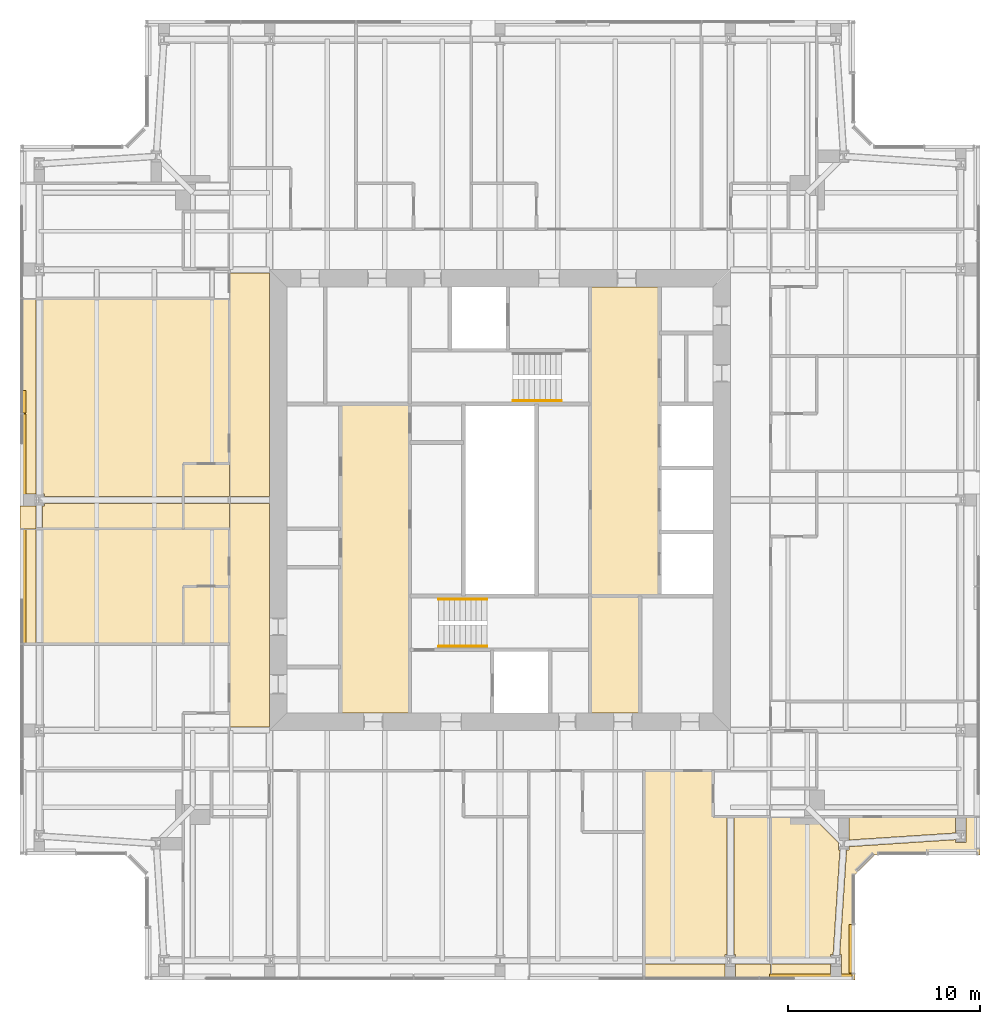
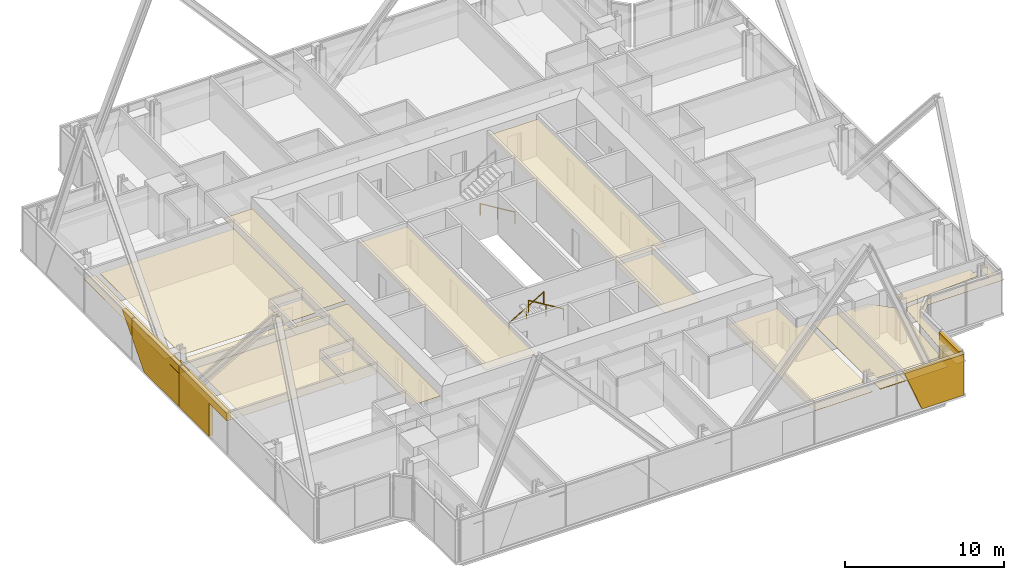
# One storey, part 17 of 20: 27 coverings, 3 railings.
"""IFC4 building model written with IfcOpenShell, lengths in metres."""

from ifc_helpers import new_model, si_unit, direction, frame, origin, origin_2d, place, context, subcontext, project, spatial, polyline, circle, outline, extrude, material, layer, layer_set, type_object, element, save


model = new_model("IFC4")

# Units and contexts
model_context = context("Model", 3, precision=1e-05, world=origin(), true_north=direction((0.0, 1.0)))
body_context = subcontext(model_context, "Body", "Model", "MODEL_VIEW")
ifc_project = project(units=[si_unit("LENGTHUNIT", "METRE"), si_unit("AREAUNIT", "SQUARE_METRE"), si_unit("VOLUMEUNIT", "CUBIC_METRE"), si_unit("PLANEANGLEUNIT", "RADIAN"), si_unit("MASSUNIT", "GRAM", prefix="KILO")], contexts=[model_context])

# Site, building, storey
site_placement = place(None, origin())
site = spatial("IfcSite", under=ifc_project, at=site_placement, CompositionType="ELEMENT")
building_placement = place(site_placement, origin())
building = spatial("IfcBuilding", under=site, at=building_placement, Name="Fenwick Lantern Interchange", CompositionType="ELEMENT")
storey_placement = place(building_placement, frame((0.0, 0.0, 256.0)))
storey = spatial("IfcBuildingStorey", under=building, at=storey_placement, Name="L60", CompositionType="ELEMENT", Elevation=256.0)

# Coverings
ifc_material_1 = material(Name="Granite cladding, warm grey flamed finish, on aluminium carrier frame", Category="masonry")
ifc_layer_1 = layer(ifc_material_1, 0.300048828125)
ifc_layer_set_1 = layer_set([ifc_layer_1], Name="BRACE CASING PANEL 300")
covering_type_1 = type_object("IfcCoveringType", Name="BRACE CASING PANEL 300", PredefinedType="CLADDING", material=ifc_layer_set_1)
covering_1_placement = place(storey_placement, frame((6.60009765625, 0.10009765625, 0.0), z_axis=(0.0, 0.0, 1.0), x_axis=(1.0, 0.0, 0.0)))
element("IfcCovering", 1, at=covering_1_placement, inside=storey, type_object=covering_type_1, Name="Brace casing 01 bay 06a", PredefinedType="CLADDING", context=body_context, shape_type="SweptSolid", body=[
    extrude(outline(polyline([(33.71337890625, 0.0), (36.739990234375, 0.0), (36.739990234375, 3.14990234375), (32.439453125, 3.14990234375), (33.71337890625, 0.0)])), frame((0.0, 0.2099609375, 0.0), z_axis=(0.0, -1.0, 0.0), x_axis=(1.0, 0.0, 0.0)), (0.0, 0.0, 1.0), 0.300048828125),
])
covering_2_placement = place(storey_placement, frame((43.39990234375, 0.10009765625, 0.0), z_axis=(0.0, 0.0, 1.0), x_axis=(0.0, 1.0, 0.0)))
element("IfcCovering", 2, at=covering_2_placement, inside=storey, type_object=covering_type_1, Name="Brace casing 02 bay 00a", PredefinedType="CLADDING", context=body_context, shape_type="SweptSolid", body=[
    extrude(outline(polyline([(0.260009765625, 0.0), (2.790771484375, 0.0), (2.790771484375, 3.14990234375), (0.260009765625, 3.14990234375), (0.260009765625, 0.0)])), frame((0.0, 0.2099609375, 0.0), z_axis=(0.0, -1.0, 0.0), x_axis=(1.0, 0.0, 0.0)), (0.0, 0.0, 1.0), 0.300048828125),
])
covering_3_placement = place(storey_placement, frame((0.10009765625, 43.39990234375, 1.807373046875), z_axis=(0.0, 0.0, 1.0), x_axis=(0.0, -1.0, 0.0)))
element("IfcCovering", 3, at=covering_3_placement, inside=storey, type_object=covering_type_1, Name="Brace casing 13 bay 02a", PredefinedType="CLADDING", context=body_context, shape_type="SweptSolid", body=[
    extrude(outline(polyline([(13.8701171875, 0.0), (13.8701171875, 1.342529296875), (12.685302734375, 1.342529296875), (13.8701171875, 0.0)])), frame((0.0, 0.2099609375, 0.0), z_axis=(0.0, -1.0, 0.0), x_axis=(1.0, 0.0, 0.0)), (0.0, 0.0, 1.0), 0.300048828125),
])
covering_4_placement = place(storey_placement, frame((0.10009765625, 43.39990234375, 0.0), z_axis=(0.0, 0.0, 1.0), x_axis=(0.0, -1.0, 0.0)))
element("IfcCovering", 4, at=covering_4_placement, inside=storey, type_object=covering_type_1, Name="Brace casing 13 bay 03a", PredefinedType="CLADDING", context=body_context, shape_type="SweptSolid", body=[
    extrude(outline(polyline([(15.46484375, 0.0), (19.8701171875, 0.0), (19.8701171875, 3.14990234375), (13.929931640625, 3.14990234375), (13.929931640625, 1.739501953125), (15.46484375, 0.0)])), frame((0.0, 0.2099609375, 0.0), z_axis=(0.0, -1.0, 0.0), x_axis=(1.0, 0.0, 0.0)), (0.0, 0.0, 1.0), 0.300048828125),
])
covering_5_placement = place(storey_placement, frame((0.10009765625, 43.39990234375, 0.0), z_axis=(0.0, 0.0, 1.0), x_axis=(0.0, -1.0, 0.0)))
element("IfcCovering", 5, at=covering_5_placement, inside=storey, type_object=covering_type_1, Name="Brace casing 13 bay 04a", PredefinedType="CLADDING", context=body_context, shape_type="SweptSolid", body=[
    extrude(outline(polyline([(19.929931640625, 0.0), (23.60009765625, 0.0), (23.60009765625, 2.56689453125), (25.8701171875, 2.56689453125), (25.8701171875, 3.14990234375), (19.929931640625, 3.14990234375), (19.929931640625, 0.0)])), frame((0.0, 0.2099609375, 0.0), z_axis=(0.0, -1.0, 0.0), x_axis=(1.0, 0.0, 0.0)), (0.0, 0.0, 1.0), 0.300048828125),
])

# Railings
ifc_material_2 = material(Name="Stainless steel handrail", Category="steel")
railing_type = type_object("IfcRailingType", Name="HANDRAIL 900", PredefinedType="HANDRAIL", material=ifc_material_2)
railing_1_placement = place(storey_placement, frame((21.800048828125, 19.825927734375, 0.169921875)))
element("IfcRailing", 6, at=railing_1_placement, inside=storey, type_object=railing_type, Name="L60/STAIR/ST1/HR1", PredefinedType="HANDRAIL", context=body_context, shape_type="SweptSolid", body=[
    extrude(circle(Radius=0.02392578125, at=origin_2d()), frame((0.0, 0.0, 0.8759765625), z_axis=(0.85478489116, 0.0, 0.518982456201), x_axis=(0.0, 1.0, 0.0)), (0.0, 0.0, 1.0), 2.9482421875),
    extrude(circle(Radius=0.02099609375, at=origin_2d()), origin(), (0.0, 0.0, 1.0), 0.851806640625),
    extrude(circle(Radius=0.02099609375, at=origin_2d()), frame((1.260009765625, 0.0, 0.76513671875)), (0.0, 0.0, 1.0), 0.851806640625),
    extrude(circle(Radius=0.02099609375, at=origin_2d()), frame((2.52001953125, 0.0, 1.530029296875)), (0.0, 0.0, 1.0), 0.851806640625),
])
railing_2_placement = place(storey_placement, frame((24.320068359375, 17.3740234375, 1.8701171875)))
element("IfcRailing", 7, at=railing_2_placement, inside=storey, type_object=railing_type, Name="L60/STAIR/ST1/HR2", PredefinedType="HANDRAIL", context=body_context, shape_type="SweptSolid", body=[
    extrude(circle(Radius=0.02392578125, at=origin_2d()), frame((0.0, 0.0, 0.8759765625), z_axis=(-0.854821627497, 0.0, 0.518921945155), x_axis=(0.0, -1.0, 0.0)), (0.0, 0.0, 1.0), 2.947998046875),
    extrude(circle(Radius=0.02099609375, at=origin_2d()), origin(), (0.0, 0.0, 1.0), 0.851806640625),
    extrude(circle(Radius=0.02099609375, at=origin_2d()), frame((-1.260009765625, 0.0, 0.764892578125)), (0.0, 0.0, 1.0), 0.851806640625),
    extrude(circle(Radius=0.02099609375, at=origin_2d()), frame((-2.52001953125, 0.0, 1.52978515625)), (0.0, 0.0, 1.0), 0.851806640625),
])
railing_3_placement = place(storey_placement, frame((28.199951171875, 30.174072265625, 0.169921875)))
element("IfcRailing", 8, at=railing_3_placement, inside=storey, type_object=railing_type, Name="L60/STAIR/ST2/HR1", PredefinedType="HANDRAIL", context=body_context, shape_type="SweptSolid", body=[
    extrude(circle(Radius=0.02392578125, at=origin_2d()), frame((0.0, 0.0, 0.8759765625), z_axis=(-0.85478489116, 0.0, 0.518982456201), x_axis=(0.0, -1.0, 0.0)), (0.0, 0.0, 1.0), 2.9482421875),
    extrude(circle(Radius=0.02099609375, at=origin_2d()), origin(), (0.0, 0.0, 1.0), 0.851806640625),
    extrude(circle(Radius=0.02099609375, at=origin_2d()), frame((-1.260009765625, 0.0, 0.76513671875)), (0.0, 0.0, 1.0), 0.851806640625),
    extrude(circle(Radius=0.02099609375, at=origin_2d()), frame((-2.52001953125, 0.0, 1.530029296875)), (0.0, 0.0, 1.0), 0.851806640625),
])

# Coverings
ifc_material_3 = material(Name="Moisture resistant gypsum board on suspended frame, painted")
ifc_layer_2 = layer(ifc_material_3, 0.014892578125)
ifc_layer_set_2 = layer_set([ifc_layer_2], Name="MOISTURE RESISTANT CEILING 15")
covering_type_2 = type_object("IfcCoveringType", Name="MOISTURE RESISTANT CEILING 15", PredefinedType="CEILING", material=ifc_layer_set_2)
covering_6_placement = place(storey_placement, frame((0.0, 0.0, 2.60009765625)))
element("IfcCovering", 9, at=covering_6_placement, inside=storey, type_object=covering_type_2, Name="Men's WC ceiling", PredefinedType="CEILING", context=body_context, shape_type="SweptSolid", body=[
    extrude(outline(polyline([(29.699951171875, 13.89990234375), (32.300048828125, 13.89990234375), (32.300048828125, 20.0), (29.699951171875, 20.0), (29.699951171875, 13.89990234375)])), origin(), (0.0, 0.0, 1.0), 0.014892578125),
])
covering_7_placement = place(storey_placement, frame((0.0, 0.0, 2.39990234375)))
element("IfcCovering", 10, at=covering_7_placement, inside=storey, type_object=covering_type_2, Name="En-suite 6014 ceiling", PredefinedType="CEILING", context=body_context, shape_type="SweptSolid", body=[
    extrude(outline(polyline([(8.5, 26.89990234375), (8.5, 25.175048828125), (10.89990234375, 25.175048828125), (10.89990234375, 26.89990234375), (8.5, 26.89990234375)])), origin(), (0.0, 0.0, 1.0), 0.01513671875),
])
covering_8_placement = place(storey_placement, frame((0.0, 0.0, 2.39990234375)))
element("IfcCovering", 11, at=covering_8_placement, inside=storey, type_object=covering_type_2, Name="En-suite 6014 ceiling", PredefinedType="CEILING", context=body_context, shape_type="SweptSolid", body=[
    extrude(outline(polyline([(10.89990234375, 23.5), (10.89990234375, 24.824951171875), (8.5, 24.824951171875), (8.5, 23.5), (10.89990234375, 23.5)])), origin(), (0.0, 0.0, 1.0), 0.01513671875),
])
covering_9_placement = place(storey_placement, frame((0.0, 0.0, 2.39990234375)))
element("IfcCovering", 12, at=covering_9_placement, inside=storey, type_object=covering_type_2, Name="En-suite 6015 ceiling", PredefinedType="CEILING", context=body_context, shape_type="SweptSolid", body=[
    extrude(outline(polyline([(8.5, 20.5), (8.5, 17.5), (10.89990234375, 17.5), (10.89990234375, 20.5), (8.5, 20.5)])), origin(), (0.0, 0.0, 1.0), 0.01513671875),
])
ifc_material_4 = material(Name="Gypsum plasterboard on suspended frame, painted")
ifc_layer_3 = layer(ifc_material_4, 0.014892578125)
ifc_layer_set_3 = layer_set([ifc_layer_3], Name="PLASTERBOARD CEILING 15")
covering_type_3 = type_object("IfcCoveringType", Name="PLASTERBOARD CEILING 15", PredefinedType="CEILING", material=ifc_layer_set_3)
covering_10_placement = place(storey_placement, frame((0.0, 0.0, 2.800048828125)))
element("IfcCovering", 13, at=covering_10_placement, inside=storey, type_object=covering_type_3, Name="Lift lobby ceiling", PredefinedType="CEILING", context=body_context, shape_type="SweptSolid", body=[
    extrude(outline(polyline([(16.699951171875, 13.89990234375), (20.300048828125, 13.89990234375), (20.300048828125, 30.0), (16.699951171875, 30.0), (16.699951171875, 13.89990234375)])), origin(), (0.0, 0.0, 1.0), 0.014892578125),
])
covering_11_placement = place(storey_placement, frame((0.0, 0.0, 2.800048828125)))
element("IfcCovering", 14, at=covering_11_placement, inside=storey, type_object=covering_type_3, Name="Lift lobby ceiling", PredefinedType="CEILING", context=body_context, shape_type="SweptSolid", body=[
    extrude(outline(polyline([(33.300048828125, 36.10009765625), (29.699951171875, 36.10009765625), (29.699951171875, 20.0), (33.300048828125, 20.0), (33.300048828125, 36.10009765625)])), origin(), (0.0, 0.0, 1.0), 0.014892578125),
])
covering_12_placement = place(storey_placement, frame((0.0, 0.0, 2.57275390625)))
element("IfcCovering", 15, at=covering_12_placement, inside=storey, type_object=covering_type_3, Name="Corridor ceiling", PredefinedType="CEILING", context=body_context, shape_type="SweptSolid", body=[
    extrude(outline(polyline([(10.89990234375, 36.833984375), (10.89990234375, 25.175048828125), (13.0, 25.175048828125), (13.0, 36.833984375), (10.89990234375, 36.833984375)])), origin(), (0.0, 0.0, 1.0), 0.01513671875),
])
covering_13_placement = place(storey_placement, frame((0.0, 0.0, 2.57275390625)))
element("IfcCovering", 16, at=covering_13_placement, inside=storey, type_object=covering_type_3, Name="Corridor ceiling", PredefinedType="CEILING", context=body_context, shape_type="SweptSolid", body=[
    extrude(outline(polyline([(10.89990234375, 24.824951171875), (10.89990234375, 13.166015625), (13.0, 13.166015625), (13.0, 24.824951171875), (10.89990234375, 24.824951171875)])), origin(), (0.0, 0.0, 1.0), 0.01513671875),
])
covering_14_placement = place(storey_placement, frame((0.0, 0.0, 2.57275390625)))
element("IfcCovering", 17, at=covering_14_placement, inside=storey, type_object=covering_type_3, Name="Guest room 6004 ceiling", PredefinedType="CEILING", context=body_context, shape_type="SweptSolid", body=[
    extrude(outline(polyline([(36.72265625, 1.33447265625), (36.816162109375, 1.33447265625), (36.816162109375, 8.5), (36.10009765625, 8.5), (36.10009765625, 10.89990234375), (32.5, 10.89990234375), (32.5, 1.17236328125), (36.72265625, 1.17236328125), (36.72265625, 1.33447265625)])), origin(), (0.0, 0.0, 1.0), 0.01513671875),
])
covering_15_placement = place(storey_placement, frame((0.0, 0.0, 2.57275390625)))
element("IfcCovering", 18, at=covering_15_placement, inside=storey, type_object=covering_type_3, Name="Guest room 6004 ceiling", PredefinedType="CEILING", context=body_context, shape_type="SweptSolid", body=[
    extrude(outline(polyline([(37.27734375, 1.33447265625), (37.27734375, 1.17236328125), (39.10009765625, 1.17236328125), (39.10009765625, 8.5), (37.183837890625, 8.5), (37.183837890625, 1.33447265625), (37.27734375, 1.33447265625)])), origin(), (0.0, 0.0, 1.0), 0.01513671875),
])
covering_16_placement = place(storey_placement, frame((0.0, 0.0, 2.57275390625)))
element("IfcCovering", 19, at=covering_16_placement, inside=storey, type_object=covering_type_3, Name="Guest room 6004 ceiling", PredefinedType="CEILING", context=body_context, shape_type="SweptSolid", body=[
    extrude(outline(polyline([(36.72265625, 0.0), (36.72265625, 0.82763671875), (32.5, 0.82763671875), (32.5, 0.0), (36.72265625, 0.0)])), origin(), (0.0, 0.0, 1.0), 0.01513671875),
])
covering_17_placement = place(storey_placement, frame((0.0, 0.0, 2.57275390625)))
element("IfcCovering", 20, at=covering_17_placement, inside=storey, type_object=covering_type_3, Name="Guest room 6004 ceiling", PredefinedType="CEILING", context=body_context, shape_type="SweptSolid", body=[
    extrude(outline(polyline([(37.27734375, 0.82763671875), (37.27734375, 0.0), (39.10009765625, 0.0), (39.10009765625, 0.82763671875), (37.27734375, 0.82763671875)])), origin(), (0.0, 0.0, 1.0), 0.01513671875),
])
covering_18_placement = place(storey_placement, frame((0.0, 0.0, 2.57275390625)))
element("IfcCovering", 21, at=covering_18_placement, inside=storey, type_object=covering_type_3, Name="Guest suite 6005 sitting room ceiling", PredefinedType="CEILING", context=body_context, shape_type="SweptSolid", body=[
    extrude(outline(polyline([(42.22265625, 1.33447265625), (42.34912109375, 1.33447265625), (42.705322265625, 6.765625), (42.62255859375, 6.765625), (42.62255859375, 7.160400390625), (41.283203125, 8.5), (39.10009765625, 8.5), (39.10009765625, 1.17236328125), (42.22265625, 1.17236328125), (42.22265625, 1.33447265625)])), origin(), (0.0, 0.0, 1.0), 0.01513671875),
])
covering_19_placement = place(storey_placement, frame((0.0, 0.0, 2.57275390625)))
element("IfcCovering", 22, at=covering_19_placement, inside=storey, type_object=covering_type_3, Name="Guest suite 6005 sitting room ceiling", PredefinedType="CEILING", context=body_context, shape_type="SweptSolid", body=[
    extrude(outline(polyline([(42.77734375, 1.33447265625), (42.77734375, 0.0), (43.5, 0.0), (43.5, 5.5), (44.5, 6.5), (50.0, 6.5), (50.0, 8.5), (49.27734375, 8.5), (49.27734375, 7.16552734375), (48.72265625, 7.16552734375), (48.72265625, 7.30908203125), (43.17724609375, 6.9453125), (43.17724609375, 6.765625), (43.05078125, 6.765625), (42.69482421875, 1.33447265625), (42.77734375, 1.33447265625)])), origin(), (0.0, 0.0, 1.0), 0.01513671875),
])
covering_20_placement = place(storey_placement, frame((0.0, 0.0, 2.57275390625)))
element("IfcCovering", 23, at=covering_20_placement, inside=storey, type_object=covering_type_3, Name="Guest suite 6005 sitting room ceiling", PredefinedType="CEILING", context=body_context, shape_type="SweptSolid", body=[
    extrude(outline(polyline([(43.17724609375, 8.5), (43.17724609375, 7.291015625), (48.72265625, 7.654541015625), (48.72265625, 8.5), (43.17724609375, 8.5)])), origin(), (0.0, 0.0, 1.0), 0.01513671875),
])
covering_21_placement = place(storey_placement, frame((0.0, 0.0, 2.57275390625)))
element("IfcCovering", 24, at=covering_21_placement, inside=storey, type_object=covering_type_3, Name="Guest suite 6005 sitting room ceiling", PredefinedType="CEILING", context=body_context, shape_type="SweptSolid", body=[
    extrude(outline(polyline([(42.22265625, 0.0), (42.22265625, 0.82763671875), (39.10009765625, 0.82763671875), (39.10009765625, 0.0), (42.22265625, 0.0)])), origin(), (0.0, 0.0, 1.0), 0.01513671875),
])
covering_22_placement = place(storey_placement, frame((0.0, 0.0, 2.57275390625)))
element("IfcCovering", 25, at=covering_22_placement, inside=storey, type_object=covering_type_3, Name="Guest suite 6014 ceiling", PredefinedType="CEILING", context=body_context, shape_type="SweptSolid", body=[
    extrude(outline(polyline([(1.27099609375, 25.3154296875), (1.27099609375, 25.175048828125), (8.5, 25.175048828125), (8.5, 26.89990234375), (10.89990234375, 26.89990234375), (10.89990234375, 35.5), (1.17236328125, 35.5), (1.17236328125, 25.3154296875), (1.27099609375, 25.3154296875)])), origin(), (0.0, 0.0, 1.0), 0.01513671875),
])
covering_23_placement = place(storey_placement, frame((0.0, 0.0, 2.57275390625)))
element("IfcCovering", 26, at=covering_23_placement, inside=storey, type_object=covering_type_3, Name="Guest suite 6014 ceiling", PredefinedType="CEILING", context=body_context, shape_type="SweptSolid", body=[
    extrude(outline(polyline([(1.27099609375, 24.6845703125), (1.17236328125, 24.6845703125), (1.17236328125, 23.5), (8.5, 23.5), (8.5, 24.824951171875), (1.27099609375, 24.824951171875), (1.27099609375, 24.6845703125)])), origin(), (0.0, 0.0, 1.0), 0.01513671875),
])
covering_24_placement = place(storey_placement, frame((0.0, 0.0, 2.57275390625)))
element("IfcCovering", 27, at=covering_24_placement, inside=storey, type_object=covering_type_3, Name="Guest suite 6014 ceiling", PredefinedType="CEILING", context=body_context, shape_type="SweptSolid", body=[
    extrude(outline(polyline([(0.0, 25.3154296875), (0.82763671875, 25.3154296875), (0.82763671875, 35.5), (0.0, 35.5), (0.0, 25.3154296875)])), origin(), (0.0, 0.0, 1.0), 0.01513671875),
])
covering_25_placement = place(storey_placement, frame((0.0, 0.0, 2.57275390625)))
element("IfcCovering", 28, at=covering_25_placement, inside=storey, type_object=covering_type_3, Name="Guest suite 6014 ceiling", PredefinedType="CEILING", context=body_context, shape_type="SweptSolid", body=[
    extrude(outline(polyline([(0.82763671875, 24.6845703125), (0.0, 24.6845703125), (0.0, 23.5), (0.82763671875, 23.5), (0.82763671875, 24.6845703125)])), origin(), (0.0, 0.0, 1.0), 0.01513671875),
])
covering_26_placement = place(storey_placement, frame((0.0, 0.0, 2.57275390625)))
element("IfcCovering", 29, at=covering_26_placement, inside=storey, type_object=covering_type_3, Name="Guest room 6015 ceiling", PredefinedType="CEILING", context=body_context, shape_type="SweptSolid", body=[
    extrude(outline(polyline([(10.89990234375, 23.5), (1.17236328125, 23.5), (1.17236328125, 17.5), (8.5, 17.5), (8.5, 20.5), (10.89990234375, 20.5), (10.89990234375, 23.5)])), origin(), (0.0, 0.0, 1.0), 0.01513671875),
])
covering_27_placement = place(storey_placement, frame((0.0, 0.0, 2.57275390625)))
element("IfcCovering", 30, at=covering_27_placement, inside=storey, type_object=covering_type_3, Name="Guest room 6015 ceiling", PredefinedType="CEILING", context=body_context, shape_type="SweptSolid", body=[
    extrude(outline(polyline([(0.0, 23.5), (0.0, 17.5), (0.82763671875, 17.5), (0.82763671875, 23.5), (0.0, 23.5)])), origin(), (0.0, 0.0, 1.0), 0.01513671875),
])

save(model, "model.ifc")
